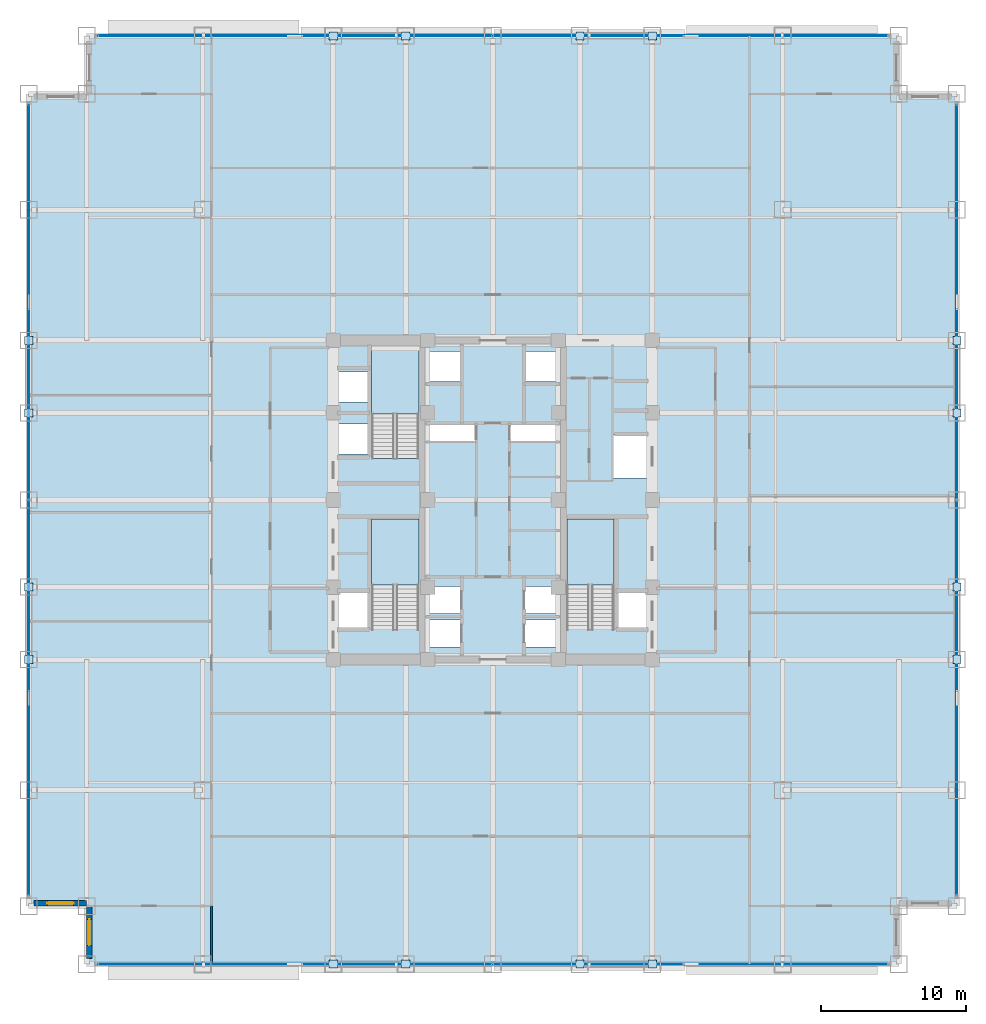
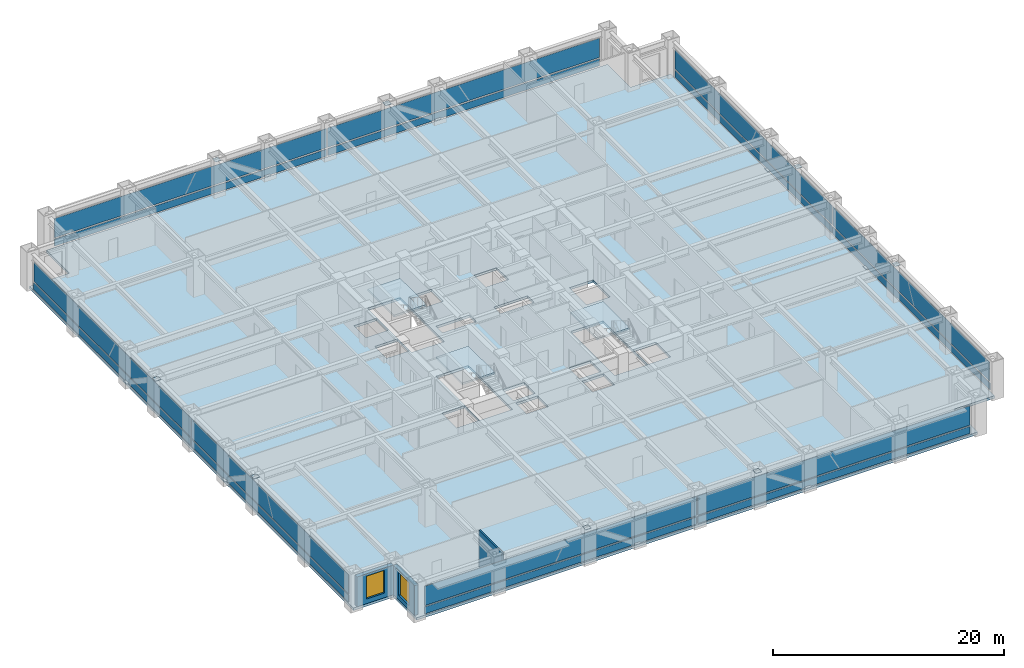
# One storey, part 22 of 32: 32 plates, 4 slabs, 3 walls, 2 windows, 2 openings, 7 elements without a shape of their own.
"""IFC4 building model written with IfcOpenShell, lengths in metres."""

from ifc_helpers import new_model, si_unit, direction, frame, frame_2d, origin, origin_2d, place, context, subcontext, project, spatial, polyline, rectangle, outline, extrude, source, transform, mapped, material, layer, layer_set, type_object, element, fill, aggregate, save


model = new_model("IFC4")

# Units and contexts
model_context = context("Model", 3, precision=1e-05, world=origin(), true_north=direction((0.0, 1.0)))
body_context = subcontext(model_context, "Body", "Model", "MODEL_VIEW")
ifc_project = project(units=[si_unit("LENGTHUNIT", "METRE"), si_unit("AREAUNIT", "SQUARE_METRE"), si_unit("VOLUMEUNIT", "CUBIC_METRE"), si_unit("PLANEANGLEUNIT", "RADIAN"), si_unit("MASSUNIT", "GRAM", prefix="KILO")], contexts=[model_context])

# Site, building, storey
site_placement = place(None, origin())
site = spatial("IfcSite", under=ifc_project, at=site_placement, CompositionType="ELEMENT")
building_placement = place(site_placement, origin())
building = spatial("IfcBuilding", under=site, at=building_placement, Name="Khorayat Bourse Tower", CompositionType="ELEMENT")
storey_placement = place(building_placement, frame((0.0, 0.0, 95.5)))
storey = spatial("IfcBuildingStorey", under=building, at=storey_placement, Name="L21", CompositionType="ELEMENT", Elevation=95.5)

# Stair, slab
ifc_material_1 = material(Name="Concrete C40/50", Category="concrete")
stair_type = type_object("IfcStairType", Name="STR-CORE-1550", PredefinedType="HALF_TURN_STAIR", material=ifc_material_1)
stair_1_placement = place(storey_placement, origin())
stair_1 = element("IfcStair", 1, at=stair_1_placement, inside=storey, type_object=stair_type, Name="L21 Exit Stair ST-1", PredefinedType="HALF_TURN_STAIR")
ifc_layer_1 = layer(ifc_material_1, 0.199951171875)
ifc_layer_set_1 = layer_set([ifc_layer_1], Name="Concrete C40/50")
slab_type_1 = type_object("IfcSlabType", Name="SLB-LANDING-200", PredefinedType="LANDING", material=ifc_layer_set_1)
slab_1_placement = place(storey_placement, frame((0.0, 0.0, 1.85009765625)))
slab_1 = element("IfcSlab", 2, at=slab_1_placement, type_object=slab_type_1, Name="ST-1 landing 1", PredefinedType="LANDING", context=body_context, shape_type="SweptSolid", body=[
    extrude(outline(polyline([(-5.10009765625, -5.8701171875), (-5.10009765625, -1.300048828125), (-8.35009765625, -1.300048828125), (-8.35009765625, -5.8701171875), (-5.10009765625, -5.8701171875)])), origin(), (0.0, 0.0, 1.0), 0.199951171875),
])
aggregate(stair_1, [slab_1])

stair_2_placement = place(storey_placement, origin())
stair_2 = element("IfcStair", 3, at=stair_2_placement, inside=storey, type_object=stair_type, Name="L21 Exit Stair ST-2", PredefinedType="HALF_TURN_STAIR")
slab_2_placement = place(storey_placement, frame((0.0, 0.0, 1.85009765625)))
slab_2 = element("IfcSlab", 4, at=slab_2_placement, type_object=slab_type_1, Name="ST-2 landing 1", PredefinedType="LANDING", context=body_context, shape_type="SweptSolid", body=[
    extrude(outline(polyline([(-5.10009765625, 5.929931640625), (-5.10009765625, 10.5), (-8.35009765625, 10.5), (-8.35009765625, 5.929931640625), (-5.10009765625, 5.929931640625)])), origin(), (0.0, 0.0, 1.0), 0.199951171875),
])
aggregate(stair_2, [slab_2])

stair_3_placement = place(storey_placement, origin())
stair_3 = element("IfcStair", 5, at=stair_3_placement, inside=storey, type_object=stair_type, Name="L21 Exit Stair ST-3", PredefinedType="HALF_TURN_STAIR")
slab_3_placement = place(storey_placement, frame((0.0, 0.0, 1.85009765625)))
slab_3 = element("IfcSlab", 6, at=slab_3_placement, type_object=slab_type_1, Name="ST-3 landing 1", PredefinedType="LANDING", context=body_context, shape_type="SweptSolid", body=[
    extrude(outline(polyline([(8.35009765625, -5.8701171875), (8.35009765625, -1.300048828125), (5.10009765625, -1.300048828125), (5.10009765625, -5.8701171875), (8.35009765625, -5.8701171875)])), origin(), (0.0, 0.0, 1.0), 0.199951171875),
])
aggregate(stair_3, [slab_3])

# Slab
ifc_layer_2 = layer(ifc_material_1, 0.260009765625)
ifc_layer_set_2 = layer_set([ifc_layer_2], Name="Concrete C40/50")
slab_type_2 = type_object("IfcSlabType", Name="SLB-TRADE-260", PredefinedType="FLOOR", material=ifc_layer_set_2)
slab_4_placement = place(storey_placement, frame((0.0, 0.0, -0.260009765625)))
element("IfcSlab", 7, at=slab_4_placement, inside=storey, type_object=slab_type_2, Name="L21 Main Floor Slab", PredefinedType="FLOOR", context=body_context, shape_type="SweptSolid", body=[
    extrude(outline(polyline([(-28.0, -32.0), (28.0, -32.0), (28.0, -28.0), (32.0, -28.0), (32.0, 28.0), (28.0, 28.0), (28.0, 32.0), (-28.0, 32.0), (-28.0, 28.0), (-32.0, 28.0), (-32.0, -28.0), (-28.0, -28.0), (-28.0, -32.0)]), holes=[polyline([(-8.35009765625, -8.945068359375), (-5.10009765625, -8.945068359375), (-5.10009765625, -1.300048828125), (-8.35009765625, -1.300048828125), (-8.35009765625, -8.945068359375)]), polyline([(-8.35009765625, 2.85498046875), (-5.10009765625, 2.85498046875), (-5.10009765625, 10.5), (-8.35009765625, 10.5), (-8.35009765625, 2.85498046875)]), polyline([(5.10009765625, -8.945068359375), (8.35009765625, -8.945068359375), (8.35009765625, -1.300048828125), (5.10009765625, -1.300048828125), (5.10009765625, -8.945068359375)]), polyline([(-4.3798828125, -10.1298828125), (-2.219970703125, -10.1298828125), (-2.219970703125, -8.27001953125), (-4.3798828125, -8.27001953125), (-4.3798828125, -10.1298828125)]), polyline([(2.219970703125, -10.1298828125), (4.3798828125, -10.1298828125), (4.3798828125, -8.27001953125), (2.219970703125, -8.27001953125), (2.219970703125, -10.1298828125)]), polyline([(-4.3798828125, -7.830078125), (-2.219970703125, -7.830078125), (-2.219970703125, -5.969970703125), (-4.3798828125, -5.969970703125), (-4.3798828125, -7.830078125)]), polyline([(2.219970703125, -7.830078125), (4.3798828125, -7.830078125), (4.3798828125, -5.969970703125), (2.219970703125, -5.969970703125), (2.219970703125, -7.830078125)]), polyline([(-4.3798828125, 8.169921875), (-2.1201171875, 8.169921875), (-2.1201171875, 10.22998046875), (-4.3798828125, 10.22998046875), (-4.3798828125, 8.169921875)]), polyline([(2.1201171875, 8.169921875), (4.3798828125, 8.169921875), (4.3798828125, 10.22998046875), (2.1201171875, 10.22998046875), (2.1201171875, 8.169921875)]), polyline([(-10.679931640625, 3.169921875), (-8.419921875, 3.169921875), (-8.419921875, 5.22998046875), (-10.679931640625, 5.22998046875), (-10.679931640625, 3.169921875)]), polyline([(-10.679931640625, 6.77001953125), (-8.419921875, 6.77001953125), (-8.419921875, 8.830078125), (-10.679931640625, 8.830078125), (-10.679931640625, 6.77001953125)]), polyline([(-10.679931640625, -8.929931640625), (-8.419921875, -8.929931640625), (-8.419921875, -6.3701171875), (-10.679931640625, -6.3701171875), (-10.679931640625, -8.929931640625)]), polyline([(8.419921875, -8.929931640625), (10.679931640625, -8.929931640625), (10.679931640625, -6.3701171875), (8.419921875, -6.3701171875), (8.419921875, -8.929931640625)]), polyline([(8.320068359375, 1.52001953125), (10.679931640625, 1.52001953125), (10.679931640625, 4.47998046875), (8.320068359375, 4.47998046875), (8.320068359375, 1.52001953125)]), polyline([(-4.56005859375, 4.080078125), (-1.18994140625, 4.080078125), (-1.18994140625, 5.219970703125), (-4.56005859375, 5.219970703125), (-4.56005859375, 4.080078125)]), polyline([(1.18994140625, 4.080078125), (4.56005859375, 4.080078125), (4.56005859375, 5.219970703125), (1.18994140625, 5.219970703125), (1.18994140625, 4.080078125)])]), origin(), (0.0, 0.0, 1.0), 0.260009765625),
])

# Plates
ifc_material_2 = material(Name="Steel EN 10025-2 S355J2", Category="steel")
ifc_layer_3 = layer(ifc_material_2, 0.02490234375)
ifc_layer_set_3 = layer_set([ifc_layer_3], Name="Steel EN 10025-2 S355J2")
plate_type_1 = type_object("IfcPlateType", Name="PLT-ENDCAP-25", PredefinedType="SHEET", material=ifc_layer_set_3)
shared_shape_1 = source(origin(), body_context, "Body", "SweptSolid", [
    extrude(rectangle(XDim=0.56005859375, YDim=0.56005859375, at=origin_2d()), origin(), (0.0, 0.0, 1.0), 0.02490234375),
])
for number, where, z_axis, x_axis, name in (
    (8, (-11.0, -32.0, 3.57763671875), (0.0, 0.0, 1.0), (1.0, 0.0, 0.0), "L21 Perimeter Brace End Plate 001"),
    (9, (-6.0, -32.0, 0.237548828125), (0.0, 0.0, 1.0), (1.0, 0.0, 0.0), "L21 Perimeter Brace End Plate 002"),
    (10, (6.0, -32.0, 3.57763671875), (0.0, 0.0, 1.0), (1.0, 0.0, 0.0), "L21 Perimeter Brace End Plate 003"),
    (11, (11.0, -32.0, 0.237548828125), (0.0, 0.0, 1.0), (1.0, 0.0, 0.0), "L21 Perimeter Brace End Plate 004"),
    (12, (-11.0, 32.0, 3.57763671875), (0.0, 0.0, 1.0), (1.0, 0.0, 0.0), "L21 Perimeter Brace End Plate 005"),
    (13, (-6.0, 32.0, 0.237548828125), (0.0, 0.0, 1.0), (1.0, 0.0, 0.0), "L21 Perimeter Brace End Plate 006"),
    (14, (6.0, 32.0, 3.57763671875), (0.0, 0.0, 1.0), (1.0, 0.0, 0.0), "L21 Perimeter Brace End Plate 007"),
    (15, (11.0, 32.0, 0.237548828125), (0.0, 0.0, 1.0), (1.0, 0.0, 0.0), "L21 Perimeter Brace End Plate 008"),
    (16, (-32.0, -11.0, 3.57763671875), (0.0, 0.0, 1.0), (1.0, 0.0, 0.0), "L21 Perimeter Brace End Plate 009"),
    (17, (-32.0, -6.0, 0.237548828125), (0.0, 0.0, 1.0), (1.0, 0.0, 0.0), "L21 Perimeter Brace End Plate 010"),
    (18, (-32.0, 6.0, 3.57763671875), (0.0, 0.0, 1.0), (1.0, 0.0, 0.0), "L21 Perimeter Brace End Plate 011"),
    (19, (-32.0, 11.0, 0.237548828125), (0.0, 0.0, 1.0), (1.0, 0.0, 0.0), "L21 Perimeter Brace End Plate 012"),
    (20, (32.0, -11.0, 3.57763671875), (0.0, 0.0, 1.0), (1.0, 0.0, 0.0), "L21 Perimeter Brace End Plate 013"),
    (21, (32.0, -6.0, 0.237548828125), (0.0, 0.0, 1.0), (1.0, 0.0, 0.0), "L21 Perimeter Brace End Plate 014"),
    (22, (32.0, 6.0, 3.57763671875), (0.0, 0.0, 1.0), (1.0, 0.0, 0.0), "L21 Perimeter Brace End Plate 015"),
    (23, (32.0, 11.0, 0.237548828125), (0.0, 0.0, 1.0), (1.0, 0.0, 0.0), "L21 Perimeter Brace End Plate 016"),
):
    element("IfcPlate", number, at=place(storey_placement, frame(where, z_axis=z_axis, x_axis=x_axis)), inside=storey, type_object=plate_type_1, Name=name, PredefinedType="SHEET", context=body_context, shape_type="MappedRepresentation", body=[
        mapped(shared_shape_1, transform((0.0, 0.0, 0.0), scale=1.0)),
    ])

# Curtain wall, plates
ifc_material_3 = material(Name="Aluminium EN AW-6063 T6", Category="aluminium")
curtain_wall_type = type_object("IfcCurtainWallType", Name="CW-SYS-02", PredefinedType="NOTDEFINED", material=ifc_material_3)
curtain_wall_1_placement = place(storey_placement, origin())
curtain_wall_1 = element("IfcCurtainWall", 24, at=curtain_wall_1_placement, inside=storey, type_object=curtain_wall_type, Name="L21 Curtain Wall CW-L21-S1", PredefinedType="NOTDEFINED")
ifc_material_4 = material(Name="Honed desert limestone insulated spandrel", Category="masonry")
ifc_layer_4 = layer(ifc_material_4, 0.06494140625)
ifc_layer_set_4 = layer_set([ifc_layer_4], Name="Honed desert limestone insulated spandrel")
plate_type_2 = type_object("IfcPlateType", Name="CWP-SPAND-03", PredefinedType="CURTAIN_PANEL", material=ifc_layer_set_4)
shared_shape_2 = source(origin(), body_context, "Body", "SweptSolid", [
    extrude(rectangle(XDim=27.139892578125, YDim=0.06494140625, at=origin_2d()), origin(), (0.0, 0.0, 1.0), 0.739990234375),
])
plate_1_placement = place(storey_placement, frame((-13.639892578125, -32.0, 0.14013671875), z_axis=(0.0, 0.0, 1.0), x_axis=(1.0, 0.0, 0.0)))
plate_1 = element("IfcPlate", 25, at=plate_1_placement, type_object=plate_type_2, Name="CW-L21-S1 Spandrel Panel 1-1", PredefinedType="CURTAIN_PANEL", context=body_context, shape_type="MappedRepresentation", body=[
    mapped(shared_shape_2, transform((0.0, 0.0, 0.0), scale=1.0)),
])
plate_2_placement = place(storey_placement, frame((13.639892578125, -32.0, 0.14013671875), z_axis=(0.0, 0.0, 1.0), x_axis=(1.0, 0.0, 0.0)))
plate_2 = element("IfcPlate", 26, at=plate_2_placement, type_object=plate_type_2, Name="CW-L21-S1 Spandrel Panel 2-1", PredefinedType="CURTAIN_PANEL", context=body_context, shape_type="MappedRepresentation", body=[
    mapped(shared_shape_2, transform((0.0, 0.0, 0.0), scale=1.0)),
])

curtain_wall_2_placement = place(storey_placement, origin())
curtain_wall_2 = element("IfcCurtainWall", 27, at=curtain_wall_2_placement, inside=storey, type_object=curtain_wall_type, Name="L21 Curtain Wall CW-L21-N1", PredefinedType="NOTDEFINED")
plate_3_placement = place(storey_placement, frame((-13.639892578125, 32.0, 0.14013671875), z_axis=(0.0, 0.0, 1.0), x_axis=(1.0, 0.0, 0.0)))
plate_3 = element("IfcPlate", 28, at=plate_3_placement, type_object=plate_type_2, Name="CW-L21-N1 Spandrel Panel 1-1", PredefinedType="CURTAIN_PANEL", context=body_context, shape_type="MappedRepresentation", body=[
    mapped(shared_shape_2, transform((0.0, 0.0, 0.0), scale=1.0)),
])
plate_4_placement = place(storey_placement, frame((13.639892578125, 32.0, 0.14013671875), z_axis=(0.0, 0.0, 1.0), x_axis=(1.0, 0.0, 0.0)))
plate_4 = element("IfcPlate", 29, at=plate_4_placement, type_object=plate_type_2, Name="CW-L21-N1 Spandrel Panel 2-1", PredefinedType="CURTAIN_PANEL", context=body_context, shape_type="MappedRepresentation", body=[
    mapped(shared_shape_2, transform((0.0, 0.0, 0.0), scale=1.0)),
])

curtain_wall_3_placement = place(storey_placement, origin())
curtain_wall_3 = element("IfcCurtainWall", 30, at=curtain_wall_3_placement, inside=storey, type_object=curtain_wall_type, Name="L21 Curtain Wall CW-L21-W1", PredefinedType="NOTDEFINED")
plate_5_placement = place(storey_placement, frame((-32.0, -13.639892578125, 0.14013671875), z_axis=(0.0, 0.0, 1.0), x_axis=(0.0, 1.0, 0.0)))
plate_5 = element("IfcPlate", 31, at=plate_5_placement, type_object=plate_type_2, Name="CW-L21-W1 Spandrel Panel 1-1", PredefinedType="CURTAIN_PANEL", context=body_context, shape_type="MappedRepresentation", body=[
    mapped(shared_shape_2, transform((0.0, 0.0, 0.0), scale=1.0)),
])
plate_6_placement = place(storey_placement, frame((-32.0, 13.639892578125, 0.14013671875), z_axis=(0.0, 0.0, 1.0), x_axis=(0.0, 1.0, 0.0)))
plate_6 = element("IfcPlate", 32, at=plate_6_placement, type_object=plate_type_2, Name="CW-L21-W1 Spandrel Panel 2-1", PredefinedType="CURTAIN_PANEL", context=body_context, shape_type="MappedRepresentation", body=[
    mapped(shared_shape_2, transform((0.0, 0.0, 0.0), scale=1.0)),
])

curtain_wall_4_placement = place(storey_placement, origin())
curtain_wall_4 = element("IfcCurtainWall", 33, at=curtain_wall_4_placement, inside=storey, type_object=curtain_wall_type, Name="L21 Curtain Wall CW-L21-E1", PredefinedType="NOTDEFINED")
plate_7_placement = place(storey_placement, frame((32.0, -13.639892578125, 0.14013671875), z_axis=(0.0, 0.0, 1.0), x_axis=(0.0, 1.0, 0.0)))
plate_7 = element("IfcPlate", 34, at=plate_7_placement, type_object=plate_type_2, Name="CW-L21-E1 Spandrel Panel 1-1", PredefinedType="CURTAIN_PANEL", context=body_context, shape_type="MappedRepresentation", body=[
    mapped(shared_shape_2, transform((0.0, 0.0, 0.0), scale=1.0)),
])
plate_8_placement = place(storey_placement, frame((32.0, 13.639892578125, 0.14013671875), z_axis=(0.0, 0.0, 1.0), x_axis=(0.0, 1.0, 0.0)))
plate_8 = element("IfcPlate", 35, at=plate_8_placement, type_object=plate_type_2, Name="CW-L21-E1 Spandrel Panel 2-1", PredefinedType="CURTAIN_PANEL", context=body_context, shape_type="MappedRepresentation", body=[
    mapped(shared_shape_2, transform((0.0, 0.0, 0.0), scale=1.0)),
])

# Plate
ifc_material_5 = material(Name="Low-E solar-control laminated double glazing", Category="glass")
ifc_layer_5 = layer(ifc_material_5, 0.0419921875)
ifc_layer_set_5 = layer_set([ifc_layer_5], Name="Low-E solar-control laminated double glazing")
plate_type_3 = type_object("IfcPlateType", Name="CWP-FACET-02", PredefinedType="CURTAIN_PANEL", material=ifc_layer_set_5)
shared_shape_3 = source(origin(), body_context, "Body", "SweptSolid", [
    extrude(rectangle(XDim=27.139892578125, YDim=0.0419921875, at=origin_2d()), origin(), (0.0, 0.0, 1.0), 2.030029296875),
])
plate_9_placement = place(storey_placement, frame((-13.639892578125, -32.0, 1.02001953125), z_axis=(0.0, 0.0, 1.0), x_axis=(1.0, 0.0, 0.0)))
plate_9 = element("IfcPlate", 36, at=plate_9_placement, type_object=plate_type_3, Name="CW-L21-S1 Vision Panel 1-2", PredefinedType="CURTAIN_PANEL", context=body_context, shape_type="MappedRepresentation", body=[
    mapped(shared_shape_3, transform((0.0, 0.0, 0.0), scale=1.0)),
])

plate_10_placement = place(storey_placement, frame((13.639892578125, -32.0, 1.02001953125), z_axis=(0.0, 0.0, 1.0), x_axis=(1.0, 0.0, 0.0)))
plate_10 = element("IfcPlate", 37, at=plate_10_placement, type_object=plate_type_3, Name="CW-L21-S1 Vision Panel 2-2", PredefinedType="CURTAIN_PANEL", context=body_context, shape_type="MappedRepresentation", body=[
    mapped(shared_shape_3, transform((0.0, 0.0, 0.0), scale=1.0)),
])

aggregate(curtain_wall_1, [plate_1, plate_9, plate_2, plate_10])

plate_11_placement = place(storey_placement, frame((-13.639892578125, 32.0, 1.02001953125), z_axis=(0.0, 0.0, 1.0), x_axis=(1.0, 0.0, 0.0)))
plate_11 = element("IfcPlate", 38, at=plate_11_placement, type_object=plate_type_3, Name="CW-L21-N1 Vision Panel 1-2", PredefinedType="CURTAIN_PANEL", context=body_context, shape_type="MappedRepresentation", body=[
    mapped(shared_shape_3, transform((0.0, 0.0, 0.0), scale=1.0)),
])

plate_12_placement = place(storey_placement, frame((13.639892578125, 32.0, 1.02001953125), z_axis=(0.0, 0.0, 1.0), x_axis=(1.0, 0.0, 0.0)))
plate_12 = element("IfcPlate", 39, at=plate_12_placement, type_object=plate_type_3, Name="CW-L21-N1 Vision Panel 2-2", PredefinedType="CURTAIN_PANEL", context=body_context, shape_type="MappedRepresentation", body=[
    mapped(shared_shape_3, transform((0.0, 0.0, 0.0), scale=1.0)),
])

aggregate(curtain_wall_2, [plate_3, plate_11, plate_4, plate_12])

plate_13_placement = place(storey_placement, frame((-32.0, -13.639892578125, 1.02001953125), z_axis=(0.0, 0.0, 1.0), x_axis=(0.0, 1.0, 0.0)))
plate_13 = element("IfcPlate", 40, at=plate_13_placement, type_object=plate_type_3, Name="CW-L21-W1 Vision Panel 1-2", PredefinedType="CURTAIN_PANEL", context=body_context, shape_type="MappedRepresentation", body=[
    mapped(shared_shape_3, transform((0.0, 0.0, 0.0), scale=1.0)),
])

plate_14_placement = place(storey_placement, frame((-32.0, 13.639892578125, 1.02001953125), z_axis=(0.0, 0.0, 1.0), x_axis=(0.0, 1.0, 0.0)))
plate_14 = element("IfcPlate", 41, at=plate_14_placement, type_object=plate_type_3, Name="CW-L21-W1 Vision Panel 2-2", PredefinedType="CURTAIN_PANEL", context=body_context, shape_type="MappedRepresentation", body=[
    mapped(shared_shape_3, transform((0.0, 0.0, 0.0), scale=1.0)),
])

aggregate(curtain_wall_3, [plate_5, plate_13, plate_6, plate_14])

plate_15_placement = place(storey_placement, frame((32.0, -13.639892578125, 1.02001953125), z_axis=(0.0, 0.0, 1.0), x_axis=(0.0, 1.0, 0.0)))
plate_15 = element("IfcPlate", 42, at=plate_15_placement, type_object=plate_type_3, Name="CW-L21-E1 Vision Panel 1-2", PredefinedType="CURTAIN_PANEL", context=body_context, shape_type="MappedRepresentation", body=[
    mapped(shared_shape_3, transform((0.0, 0.0, 0.0), scale=1.0)),
])

plate_16_placement = place(storey_placement, frame((32.0, 13.639892578125, 1.02001953125), z_axis=(0.0, 0.0, 1.0), x_axis=(0.0, 1.0, 0.0)))
plate_16 = element("IfcPlate", 43, at=plate_16_placement, type_object=plate_type_3, Name="CW-L21-E1 Vision Panel 2-2", PredefinedType="CURTAIN_PANEL", context=body_context, shape_type="MappedRepresentation", body=[
    mapped(shared_shape_3, transform((0.0, 0.0, 0.0), scale=1.0)),
])

aggregate(curtain_wall_4, [plate_7, plate_15, plate_8, plate_16])

# Wall, opening, window
ifc_material_6 = material(Name="Precast concrete C45/55", Category="concrete")
ifc_layer_6 = layer(ifc_material_6, 0.3798828125)
ifc_layer_set_6 = layer_set([ifc_layer_6], Name="Precast concrete C45/55")
wall_type_1 = type_object("IfcWallType", Name="WAL-EXT-STONE-380", PredefinedType="STANDARD", material=ifc_layer_set_6)
shared_shape_4 = source(origin(), body_context, "Body", "SweptSolid", [
    extrude(rectangle(XDim=3.6201171875, YDim=0.3798828125, at=frame_2d((1.81005859375, 0.0))), origin(), (0.0, 0.0, 1.0), 3.14501953125),
])
wall_1_placement = place(storey_placement, frame((-28.0, -27.81005859375, 0.0), z_axis=(0.0, 0.0, 1.0), x_axis=(-1.0, 0.0, 0.0)))
wall_1 = element("IfcWall", 44, at=wall_1_placement, inside=storey, type_object=wall_type_1, Name="L21 Re-Entrant Notch Limestone Wall SW-H", PredefinedType="STANDARD", context=body_context, shape_type="MappedRepresentation", body=[
    mapped(shared_shape_4, transform((0.0, 0.0, 0.0), scale=1.0)),
])
shared_shape_5 = source(origin(), body_context, "Body", "SweptSolid", [
    extrude(rectangle(XDim=1.800048828125, YDim=2.39990234375, at=frame_2d((0.89990234375, 1.199951171875))), frame((0.0, 0.199951171875, 0.0), z_axis=(0.0, -1.0, 0.0), x_axis=(1.0, 0.0, 0.0)), (0.0, 0.0, 1.0), 0.39990234375),
])
opening_1_placement = place(wall_1_placement, frame((0.909912109375, 0.0, 0.5)))
opening_1 = element("IfcOpeningElement", 45, at=opening_1_placement, cuts=wall_1, Name="Opening WN-04", PredefinedType="OPENING", context=body_context, shape_type="MappedRepresentation", body=[
    mapped(shared_shape_5, transform((0.0, 0.0, 0.0), scale=1.0)),
])
ifc_material_7 = material(Name="Low-E acoustic laminated double glazing", Category="glass")
window_type = type_object("IfcWindowType", Name="WIN-NOTCH-1800x2400", PartitioningType="SINGLE_PANEL", PredefinedType="WINDOW", material=ifc_material_7)
shared_shape_6 = source(origin(), body_context, "Body", "SweptSolid", [
    extrude(rectangle(XDim=1.800048828125, YDim=2.39990234375, at=frame_2d((0.89990234375, 1.199951171875))), frame((0.0, 0.030029296875, 0.0), z_axis=(0.0, -1.0, 0.0), x_axis=(1.0, 0.0, 0.0)), (0.0, 0.0, 1.0), 0.06005859375),
])
window_1_placement = place(opening_1_placement, origin())
window_1 = element("IfcWindow", 46, at=window_1_placement, inside=storey, type_object=window_type, Name="L21 Facade Window 1", OverallHeight=2.39990234375, OverallWidth=1.800048828125, PartitioningType="SINGLE_PANEL", PredefinedType="WINDOW", context=body_context, shape_type="MappedRepresentation", body=[
    mapped(shared_shape_6, transform((0.0, 0.0, 0.0), scale=1.0)),
])
fill(opening_1, window_1)

wall_2_placement = place(storey_placement, frame((-27.81005859375, -31.6201171875, 0.0), z_axis=(0.0, 0.0, 1.0), x_axis=(0.0, 1.0, 0.0)))
wall_2 = element("IfcWall", 47, at=wall_2_placement, inside=storey, type_object=wall_type_1, Name="L21 Re-Entrant Notch Limestone Wall SW-V", PredefinedType="STANDARD", context=body_context, shape_type="MappedRepresentation", body=[
    mapped(shared_shape_4, transform((0.0, 0.0, 0.0), scale=1.0)),
])
opening_2_placement = place(wall_2_placement, frame((0.909912109375, 0.0, 0.5)))
opening_2 = element("IfcOpeningElement", 48, at=opening_2_placement, cuts=wall_2, Name="Opening WN-04", PredefinedType="OPENING", context=body_context, shape_type="MappedRepresentation", body=[
    mapped(shared_shape_5, transform((0.0, 0.0, 0.0), scale=1.0)),
])
window_2_placement = place(opening_2_placement, origin())
window_2 = element("IfcWindow", 49, at=window_2_placement, inside=storey, type_object=window_type, Name="L21 Facade Window 1", OverallHeight=2.39990234375, OverallWidth=1.800048828125, PartitioningType="SINGLE_PANEL", PredefinedType="WINDOW", context=body_context, shape_type="MappedRepresentation", body=[
    mapped(shared_shape_6, transform((0.0, 0.0, 0.0), scale=1.0)),
])
fill(opening_2, window_2)

# Wall
ifc_material_8 = material(Name="Gypsum plasterboard twin-frame partition")
ifc_layer_7 = layer(ifc_material_8, 0.14990234375)
ifc_layer_set_7 = layer_set([ifc_layer_7], Name="Gypsum plasterboard twin-frame partition")
wall_type_2 = type_object("IfcWallType", Name="WAL-PART-SUITE-150", PredefinedType="PARTITIONING", material=ifc_layer_set_7)
shared_shape_7 = source(origin(), body_context, "Body", "SweptSolid", [
    extrude(rectangle(XDim=4.0, YDim=0.14990234375, at=frame_2d((2.0, 0.0))), origin(), (0.0, 0.0, 1.0), 3.840087890625),
])
wall_3_placement = place(storey_placement, frame((-19.39990234375, -32.0, 0.0), z_axis=(0.0, 0.0, 1.0), x_axis=(0.0, 1.0, 0.0)))
element("IfcWall", 50, at=wall_3_placement, inside=storey, type_object=wall_type_2, Name="L21 Partition WAL-L21-SCW-END", PredefinedType="PARTITIONING", context=body_context, shape_type="MappedRepresentation", body=[
    mapped(shared_shape_7, transform((0.0, 0.0, 0.0), scale=1.0)),
])

save(model, "model.ifc")
